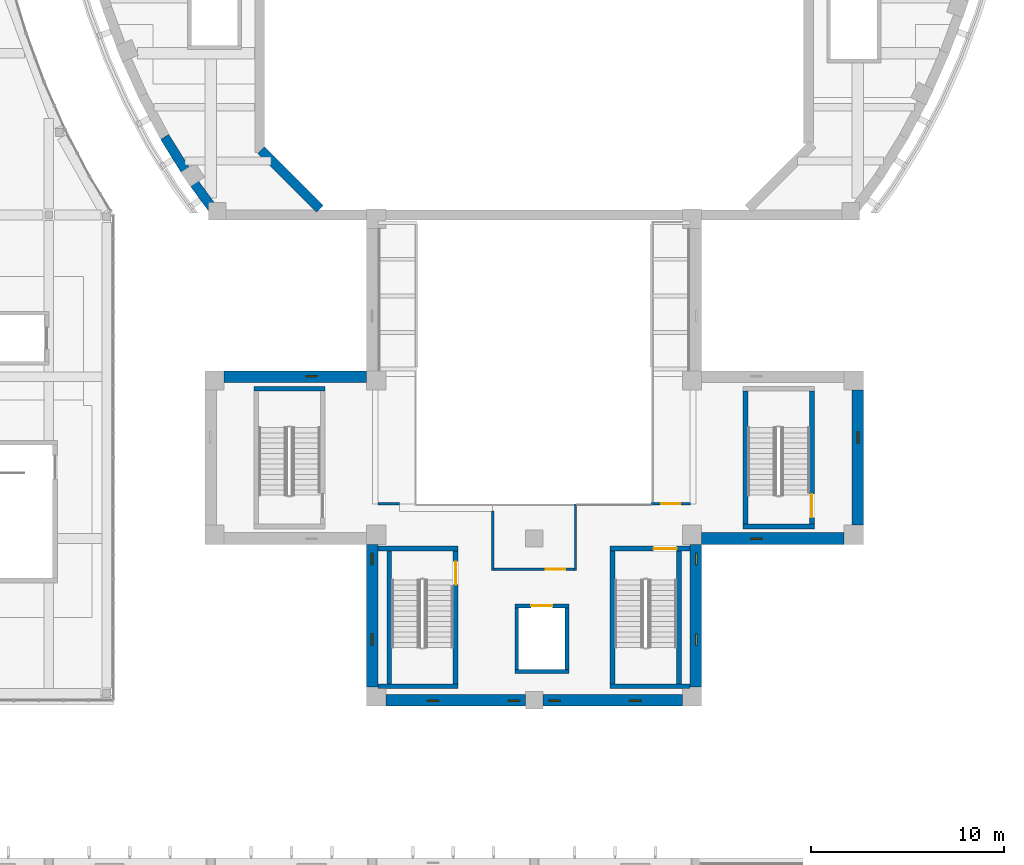
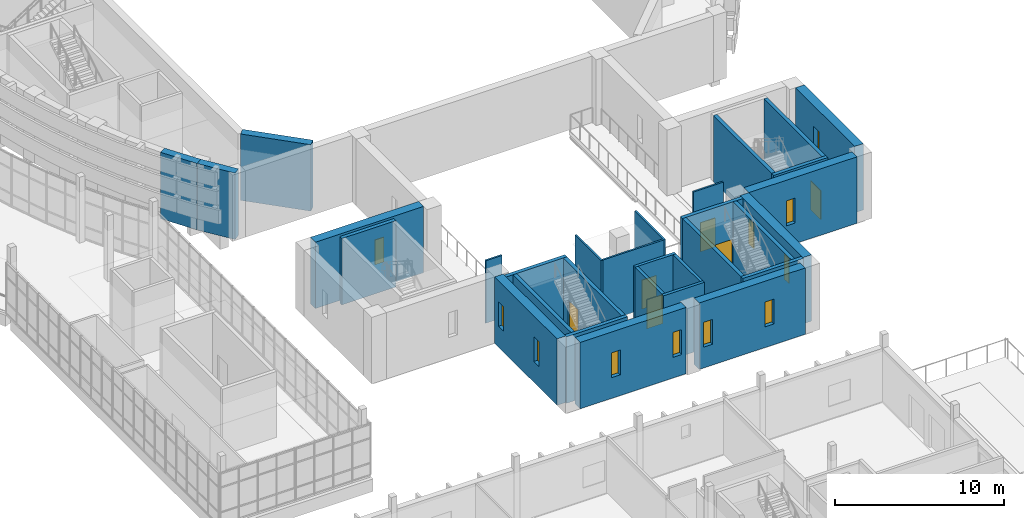
# One storey, part 53 of 103: 31 walls, 11 windows, 6 doors, 17 openings.
"""IFC4 building model written with IfcOpenShell, lengths in metres."""

from ifc_helpers import new_model, si_unit, direction, frame, frame_2d, origin, place, context, subcontext, project, spatial, rectangle, extrude, material, layer, layer_set, type_object, element, fill, save


model = new_model("IFC4")

# Units and contexts
model_context = context("Model", 3, precision=1e-05, world=origin(), true_north=direction((0.0, 1.0)))
body_context = subcontext(model_context, "Body", "Model", "MODEL_VIEW")
ifc_project = project(units=[si_unit("LENGTHUNIT", "METRE"), si_unit("AREAUNIT", "SQUARE_METRE"), si_unit("VOLUMEUNIT", "CUBIC_METRE"), si_unit("PLANEANGLEUNIT", "RADIAN"), si_unit("MASSUNIT", "GRAM", prefix="KILO")], contexts=[model_context])

# Site, building, storey
site_placement = place(None, origin())
site = spatial("IfcSite", under=ifc_project, at=site_placement, CompositionType="ELEMENT")
building_placement = place(site_placement, origin())
building = spatial("IfcBuilding", under=site, at=building_placement, Name="Larchfold Concert Hall", CompositionType="ELEMENT")
storey_placement = place(building_placement, frame((0.0, 0.0, 9.60009765625)))
storey = spatial("IfcBuildingStorey", under=building, at=storey_placement, Name="L02", CompositionType="ELEMENT", Elevation=9.60009765625)

# Walls
ifc_material_1 = material(Name="Plasterboard partition on steel studs", Category="steel")
ifc_layer_1 = layer(ifc_material_1, 0.125)
ifc_layer_set_1 = layer_set([ifc_layer_1], Name="Plasterboard partition on steel studs")
wall_type_1 = type_object("IfcWallType", Name="Corridor partition 125 EI 60", PredefinedType="PARTITIONING", material=ifc_layer_set_1)
wall_1_placement = place(storey_placement, frame((40.449951171875, 40.9375, 0.0), z_axis=(0.0, 0.0, 1.0), x_axis=(0.0, 1.0, 0.0)))
element("IfcWall", 1, at=wall_1_placement, inside=storey, type_object=wall_type_1, Name="Partition IW0010", PredefinedType="PARTITIONING", context=body_context, shape_type="SweptSolid", body=[
    extrude(rectangle(XDim=3.08154296875, YDim=0.125, at=frame_2d((1.540771484375, 0.0))), origin(), (0.0, 0.0, 1.0), 4.52001953125),
])
wall_2_placement = place(storey_placement, frame((44.75, 44.39990234375, 0.0), z_axis=(0.0, 0.0, 1.0), x_axis=(0.0, -1.0, 0.0)))
element("IfcWall", 2, at=wall_2_placement, inside=storey, type_object=wall_type_1, Name="Partition IW0011", PredefinedType="PARTITIONING", context=body_context, shape_type="SweptSolid", body=[
    extrude(rectangle(XDim=3.46240234375, YDim=0.125, at=frame_2d((1.731201171875, 0.0))), origin(), (0.0, 0.0, 1.0), 4.52001953125),
])

# Wall, opening, door
wall_3_placement = place(storey_placement, frame((44.6875, 41.0, 0.0), z_axis=(0.0, 0.0, 1.0), x_axis=(-1.0, 0.0, 0.0)))
wall_3 = element("IfcWall", 3, at=wall_3_placement, inside=storey, type_object=wall_type_1, Name="Partition IW0012", PredefinedType="PARTITIONING", context=body_context, shape_type="SweptSolid", body=[
    extrude(rectangle(XDim=4.175048828125, YDim=0.125, at=frame_2d((2.08740234375, 0.0))), origin(), (0.0, 0.0, 1.0), 4.52001953125),
])
opening_1_placement = place(wall_3_placement, frame((0.4775390625, 0.0, 0.0)))
opening_1 = element("IfcOpeningElement", 4, at=opening_1_placement, cuts=wall_3, Name="Opening D-L02-106", PredefinedType="OPENING", context=body_context, shape_type="SweptSolid", body=[
    extrude(rectangle(XDim=1.0, YDim=2.10009765625, at=frame_2d((0.5, 1.050048828125))), frame((0.0, 0.072509765625, 0.0), z_axis=(0.0, -1.0, 0.0), x_axis=(1.0, 0.0, 0.0)), (0.0, 0.0, 1.0), 0.14501953125),
])
ifc_material_2 = material(Name="Timber door leaf", Category="wood")
door_type_1 = type_object("IfcDoorType", Name="Room door 1000 x 2100 FD30S", OperationType="SINGLE_SWING_LEFT", PredefinedType="DOOR", material=ifc_material_2)
door_1_placement = place(opening_1_placement, origin())
door_1 = element("IfcDoor", 5, at=door_1_placement, inside=storey, type_object=door_type_1, Name="Door D-L02-106", OperationType="SINGLE_SWING_RIGHT", OverallHeight=2.10009765625, OverallWidth=1.0, PredefinedType="DOOR", context=body_context, shape_type="SweptSolid", body=[
    extrude(rectangle(XDim=1.0, YDim=2.10009765625, at=frame_2d((0.5, 1.050048828125))), frame((0.0, 0.02490234375, 0.0), z_axis=(0.0, -1.0, 0.0), x_axis=(1.0, 0.0, 0.0)), (0.0, 0.0, 1.0), 0.050048828125),
])
fill(opening_1, door_1)

# Wall
wall_4_placement = place(storey_placement, frame((34.47998046875, 44.39990234375, 0.0), z_axis=(0.0, 0.0, 1.0), x_axis=(1.0, 0.0, 0.0)))
element("IfcWall", 6, at=wall_4_placement, inside=storey, type_object=wall_type_1, Name="Partition IW0013", PredefinedType="PARTITIONING", context=body_context, shape_type="SweptSolid", body=[
    extrude(rectangle(XDim=1.1201171875, YDim=0.125, at=frame_2d((0.56005859375, 0.0))), origin(), (0.0, 0.0, 1.0), 4.52001953125),
])

# Wall, opening, door
wall_5_placement = place(storey_placement, frame((48.679931640625, 44.39990234375, 0.0), z_axis=(0.0, 0.0, 1.0), x_axis=(1.0, 0.0, 0.0)))
wall_5 = element("IfcWall", 7, at=wall_5_placement, inside=storey, type_object=wall_type_1, Name="Partition IW0014", PredefinedType="PARTITIONING", context=body_context, shape_type="SweptSolid", body=[
    extrude(rectangle(XDim=2.0400390625, YDim=0.125, at=frame_2d((1.02001953125, 0.0))), origin(), (0.0, 0.0, 1.0), 4.52001953125),
])
opening_2_placement = place(wall_5_placement, frame((0.510009765625, 0.0, 0.0)))
opening_2 = element("IfcOpeningElement", 8, at=opening_2_placement, cuts=wall_5, Name="Opening D-L02-107", PredefinedType="OPENING", context=body_context, shape_type="SweptSolid", body=[
    extrude(rectangle(XDim=1.0, YDim=2.10009765625, at=frame_2d((0.5, 1.050048828125))), frame((0.0, 0.072509765625, 0.0), z_axis=(0.0, -1.0, 0.0), x_axis=(1.0, 0.0, 0.0)), (0.0, 0.0, 1.0), 0.14501953125),
])
door_2_placement = place(opening_2_placement, origin())
door_2 = element("IfcDoor", 9, at=door_2_placement, inside=storey, type_object=door_type_1, Name="Door D-L02-107", OperationType="SINGLE_SWING_LEFT", OverallHeight=2.10009765625, OverallWidth=1.0, PredefinedType="DOOR", context=body_context, shape_type="SweptSolid", body=[
    extrude(rectangle(XDim=1.0, YDim=2.10009765625, at=frame_2d((0.5, 1.050048828125))), frame((0.0, 0.02490234375, 0.0), z_axis=(0.0, -1.0, 0.0), x_axis=(1.0, 0.0, 0.0)), (0.0, 0.0, 1.0), 0.050048828125),
])
fill(opening_2, door_2)

# Wall
ifc_material_3 = material(Name="Concrete C40/50", Category="concrete")
ifc_layer_2 = layer(ifc_material_3, 0.199951171875)
ifc_layer_set_2 = layer_set([ifc_layer_2], Name="Concrete C40/50")
wall_type_2 = type_object("IfcWallType", Name="Wall RC 200 lift shaft", PredefinedType="SOLIDWALL", material=ifc_layer_set_2)
wall_6_placement = place(storey_placement, frame((41.60009765625, 35.7001953125, 0.0), z_axis=(0.0, 0.0, 1.0), x_axis=(1.0, 0.0, 0.0)))
element("IfcWall", 10, at=wall_6_placement, inside=storey, type_object=wall_type_2, Name="Wall W0147", PredefinedType="SOLIDWALL", context=body_context, shape_type="SweptSolid", body=[
    extrude(rectangle(XDim=2.7998046875, YDim=0.199951171875, at=frame_2d((1.39990234375, 0.0))), origin(), (0.0, 0.0, 1.0), 4.7998046875),
])

# Wall, opening, door
wall_7_placement = place(storey_placement, frame((41.60009765625, 39.099853515625, 0.0), z_axis=(0.0, 0.0, 1.0), x_axis=(1.0, 0.0, 0.0)))
wall_7 = element("IfcWall", 11, at=wall_7_placement, inside=storey, type_object=wall_type_2, Name="Wall W0148", PredefinedType="SOLIDWALL", context=body_context, shape_type="SweptSolid", body=[
    extrude(rectangle(XDim=2.7998046875, YDim=0.199951171875, at=frame_2d((1.39990234375, 0.0))), origin(), (0.0, 0.0, 1.0), 4.7998046875),
])
opening_3_placement = place(wall_7_placement, frame((0.849853515625, 0.0, 0.0)))
opening_3 = element("IfcOpeningElement", 12, at=opening_3_placement, cuts=wall_7, Name="Opening LD-LF05", PredefinedType="OPENING", context=body_context, shape_type="SweptSolid", body=[
    extrude(rectangle(XDim=1.10009765625, YDim=2.10009765625, at=frame_2d((0.550048828125, 1.050048828125))), frame((0.0, 0.10986328125, 0.0), z_axis=(0.0, -1.0, 0.0), x_axis=(1.0, 0.0, 0.0)), (0.0, 0.0, 1.0), 0.219970703125),
])
ifc_material_4 = material(Name="Stainless steel sliding leaves", Category="steel")
door_type_2 = type_object("IfcDoorType", Name="Lift landing door sliding 1100 x 2100", OperationType="SLIDING_TO_LEFT", PredefinedType="DOOR", material=ifc_material_4)
door_3_placement = place(opening_3_placement, origin())
door_3 = element("IfcDoor", 13, at=door_3_placement, inside=storey, type_object=door_type_2, Name="Lift landing door LF05", OperationType="SLIDING_TO_LEFT", OverallHeight=2.10009765625, OverallWidth=1.10009765625, PredefinedType="DOOR", context=body_context, shape_type="SweptSolid", body=[
    extrude(rectangle(XDim=1.10009765625, YDim=2.10009765625, at=frame_2d((0.550048828125, 1.050048828125))), frame((0.0, 0.02490234375, 0.0), z_axis=(0.0, -1.0, 0.0), x_axis=(1.0, 0.0, 0.0)), (0.0, 0.0, 1.0), 0.050048828125),
])
fill(opening_3, door_3)

# Walls
for number, where, z_axis, x_axis, name in (
    (14, (41.7001953125, 35.800048828125, 0.0), (0.0, 0.0, 1.0), (0.0, 1.0, 0.0), "Wall W0149"),
    (15, (44.2998046875, 35.800048828125, 0.0), (0.0, 0.0, 1.0), (0.0, 1.0, 0.0), "Wall W0150"),
):
    element("IfcWall", number, at=place(storey_placement, frame(where, z_axis=z_axis, x_axis=x_axis)), inside=storey, type_object=wall_type_2, Name=name, PredefinedType="SOLIDWALL", context=body_context, shape_type="SweptSolid", body=[
        extrude(rectangle(XDim=3.199951171875, YDim=0.199951171875, at=frame_2d((1.60009765625, 0.0))), origin(), (0.0, 0.0, 1.0), 4.7998046875),
    ])
ifc_material_5 = material(Name="Concrete C40/50", Category="concrete")
ifc_layer_3 = layer(ifc_material_5, 0.25)
ifc_layer_set_3 = layer_set([ifc_layer_3], Name="Concrete C40/50")
wall_type_3 = type_object("IfcWallType", Name="Wall RC 250 stair core", PredefinedType="SOLIDWALL", material=ifc_layer_set_3)
for number, where, z_axis, x_axis, name in (
    (16, (28.050048828125, 50.375, 0.0), (0.0, 0.0, 1.0), (1.0, 0.0, 0.0), "Wall W0064"),
    (17, (53.449951171875, 43.22509765625, 0.0), (0.0, 0.0, 1.0), (1.0, 0.0, 0.0), "Wall W0067"),
):
    element("IfcWall", number, at=place(storey_placement, frame(where, z_axis=z_axis, x_axis=x_axis)), inside=storey, type_object=wall_type_3, Name=name, PredefinedType="SOLIDWALL", context=body_context, shape_type="SweptSolid", body=[
        extrude(rectangle(XDim=3.699951171875, YDim=0.25, at=frame_2d((1.85009765625, 0.0))), origin(), (0.0, 0.0, 1.0), 4.7998046875),
    ])
wall_8_placement = place(storey_placement, frame((53.574951171875, 43.35009765625, 0.0), z_axis=(0.0, 0.0, 1.0), x_axis=(0.0, 1.0, 0.0)))
element("IfcWall", 18, at=wall_8_placement, inside=storey, type_object=wall_type_3, Name="Wall W0069", PredefinedType="SOLIDWALL", context=body_context, shape_type="SweptSolid", body=[
    extrude(rectangle(XDim=6.89990234375, YDim=0.25, at=frame_2d((3.449951171875, 0.0))), origin(), (0.0, 0.0, 1.0), 4.7998046875),
])

# Wall, opening, door
wall_9_placement = place(storey_placement, frame((57.02490234375, 43.35009765625, 0.0), z_axis=(0.0, 0.0, 1.0), x_axis=(0.0, 1.0, 0.0)))
wall_9 = element("IfcWall", 19, at=wall_9_placement, inside=storey, type_object=wall_type_3, Name="Wall W0070", PredefinedType="SOLIDWALL", context=body_context, shape_type="SweptSolid", body=[
    extrude(rectangle(XDim=6.89990234375, YDim=0.25, at=frame_2d((3.449951171875, 0.0))), origin(), (0.0, 0.0, 1.0), 4.7998046875),
])
opening_4_placement = place(wall_9_placement, frame((0.35009765625, 0.0, 0.0)))
opening_4 = element("IfcOpeningElement", 20, at=opening_4_placement, cuts=wall_9, Name="Opening D-L02-148", PredefinedType="OPENING", context=body_context, shape_type="SweptSolid", body=[
    extrude(rectangle(XDim=1.199951171875, YDim=2.10009765625, at=frame_2d((0.60009765625, 1.050048828125))), frame((0.0, 0.135009765625, 0.0), z_axis=(0.0, -1.0, 0.0), x_axis=(1.0, 0.0, 0.0)), (0.0, 0.0, 1.0), 0.27001953125),
])
ifc_material_6 = material(Name="Timber door leaf", Category="wood")
door_type_3 = type_object("IfcDoorType", Name="Stair enclosure door pair 1200 x 2100 FD60", OperationType="SINGLE_SWING_LEFT", PredefinedType="DOOR", material=ifc_material_6)
door_4_placement = place(opening_4_placement, origin())
door_4 = element("IfcDoor", 21, at=door_4_placement, inside=storey, type_object=door_type_3, Name="Door D-L02-148", OperationType="DOUBLE_DOOR_SINGLE_SWING", OverallHeight=2.10009765625, OverallWidth=1.199951171875, PredefinedType="DOOR", context=body_context, shape_type="SweptSolid", body=[
    extrude(rectangle(XDim=1.199951171875, YDim=2.10009765625, at=frame_2d((0.60009765625, 1.050048828125))), frame((0.0, 0.02490234375, 0.0), z_axis=(0.0, -1.0, 0.0), x_axis=(1.0, 0.0, 0.0)), (0.0, 0.0, 1.0), 0.050048828125),
])
fill(opening_4, door_4)

# Walls
for number, where, z_axis, x_axis, name in (
    (22, (34.5, 34.925048828125, 0.0), (0.0, 0.0, 1.0), (1.0, 0.0, 0.0), "Wall W0071"),
    (23, (34.5, 42.074951171875, 0.0), (0.0, 0.0, 1.0), (1.0, 0.0, 0.0), "Wall W0072"),
):
    element("IfcWall", number, at=place(storey_placement, frame(where, z_axis=z_axis, x_axis=x_axis)), inside=storey, type_object=wall_type_3, Name=name, PredefinedType="SOLIDWALL", context=body_context, shape_type="SweptSolid", body=[
        extrude(rectangle(XDim=4.14990234375, YDim=0.25, at=frame_2d((2.074951171875, 0.0))), origin(), (0.0, 0.0, 1.0), 4.7998046875),
    ])
wall_10_placement = place(storey_placement, frame((35.074951171875, 35.050048828125, 0.0), z_axis=(0.0, 0.0, 1.0), x_axis=(0.0, 1.0, 0.0)))
element("IfcWall", 24, at=wall_10_placement, inside=storey, type_object=wall_type_3, Name="Wall W0073", PredefinedType="SOLIDWALL", context=body_context, shape_type="SweptSolid", body=[
    extrude(rectangle(XDim=6.89990234375, YDim=0.25, at=frame_2d((3.449951171875, 0.0))), origin(), (0.0, 0.0, 1.0), 4.7998046875),
])

# Wall, opening, door
wall_11_placement = place(storey_placement, frame((38.52490234375, 35.050048828125, 0.0), z_axis=(0.0, 0.0, 1.0), x_axis=(0.0, 1.0, 0.0)))
wall_11 = element("IfcWall", 25, at=wall_11_placement, inside=storey, type_object=wall_type_3, Name="Wall W0074", PredefinedType="SOLIDWALL", context=body_context, shape_type="SweptSolid", body=[
    extrude(rectangle(XDim=6.89990234375, YDim=0.25, at=frame_2d((3.449951171875, 0.0))), origin(), (0.0, 0.0, 1.0), 4.7998046875),
])
opening_5_placement = place(wall_11_placement, frame((5.14990234375, 0.0, 0.0)))
opening_5 = element("IfcOpeningElement", 26, at=opening_5_placement, cuts=wall_11, Name="Opening D-L02-145", PredefinedType="OPENING", context=body_context, shape_type="SweptSolid", body=[
    extrude(rectangle(XDim=1.199951171875, YDim=2.10009765625, at=frame_2d((0.60009765625, 1.050048828125))), frame((0.0, 0.135009765625, 0.0), z_axis=(0.0, -1.0, 0.0), x_axis=(1.0, 0.0, 0.0)), (0.0, 0.0, 1.0), 0.27001953125),
])
door_5_placement = place(opening_5_placement, origin())
door_5 = element("IfcDoor", 27, at=door_5_placement, inside=storey, type_object=door_type_3, Name="Door D-L02-145", OperationType="DOUBLE_DOOR_SINGLE_SWING", OverallHeight=2.10009765625, OverallWidth=1.199951171875, PredefinedType="DOOR", context=body_context, shape_type="SweptSolid", body=[
    extrude(rectangle(XDim=1.199951171875, YDim=2.10009765625, at=frame_2d((0.60009765625, 1.050048828125))), frame((0.0, 0.02490234375, 0.0), z_axis=(0.0, -1.0, 0.0), x_axis=(1.0, 0.0, 0.0)), (0.0, 0.0, 1.0), 0.050048828125),
])
fill(opening_5, door_5)

# Wall
wall_12_placement = place(storey_placement, frame((46.550048828125, 34.925048828125, 0.0), z_axis=(0.0, 0.0, 1.0), x_axis=(1.0, 0.0, 0.0)))
element("IfcWall", 28, at=wall_12_placement, inside=storey, type_object=wall_type_3, Name="Wall W0075", PredefinedType="SOLIDWALL", context=body_context, shape_type="SweptSolid", body=[
    extrude(rectangle(XDim=4.14990234375, YDim=0.25, at=frame_2d((2.074951171875, 0.0))), origin(), (0.0, 0.0, 1.0), 4.7998046875),
])

# Wall, opening, door
wall_13_placement = place(storey_placement, frame((46.550048828125, 42.074951171875, 0.0), z_axis=(0.0, 0.0, 1.0), x_axis=(1.0, 0.0, 0.0)))
wall_13 = element("IfcWall", 29, at=wall_13_placement, inside=storey, type_object=wall_type_3, Name="Wall W0076", PredefinedType="SOLIDWALL", context=body_context, shape_type="SweptSolid", body=[
    extrude(rectangle(XDim=4.14990234375, YDim=0.25, at=frame_2d((2.074951171875, 0.0))), origin(), (0.0, 0.0, 1.0), 4.7998046875),
])
opening_6_placement = place(wall_13_placement, frame((2.25, 0.0, 0.0)))
opening_6 = element("IfcOpeningElement", 30, at=opening_6_placement, cuts=wall_13, Name="Opening D-L02-146", PredefinedType="OPENING", context=body_context, shape_type="SweptSolid", body=[
    extrude(rectangle(XDim=1.199951171875, YDim=2.10009765625, at=frame_2d((0.60009765625, 1.050048828125))), frame((0.0, 0.135009765625, 0.0), z_axis=(0.0, -1.0, 0.0), x_axis=(1.0, 0.0, 0.0)), (0.0, 0.0, 1.0), 0.27001953125),
])
door_6_placement = place(opening_6_placement, origin())
door_6 = element("IfcDoor", 31, at=door_6_placement, inside=storey, type_object=door_type_3, Name="Door D-L02-146", OperationType="DOUBLE_DOOR_SINGLE_SWING", OverallHeight=2.10009765625, OverallWidth=1.199951171875, PredefinedType="DOOR", context=body_context, shape_type="SweptSolid", body=[
    extrude(rectangle(XDim=1.199951171875, YDim=2.10009765625, at=frame_2d((0.60009765625, 1.050048828125))), frame((0.0, 0.02490234375, 0.0), z_axis=(0.0, -1.0, 0.0), x_axis=(1.0, 0.0, 0.0)), (0.0, 0.0, 1.0), 0.050048828125),
])
fill(opening_6, door_6)

# Walls
for number, where, z_axis, x_axis, name in (
    (32, (46.675048828125, 35.050048828125, 0.0), (0.0, 0.0, 1.0), (0.0, 1.0, 0.0), "Wall W0077"),
    (33, (50.125, 35.050048828125, 0.0), (0.0, 0.0, 1.0), (0.0, 1.0, 0.0), "Wall W0078"),
):
    element("IfcWall", number, at=place(storey_placement, frame(where, z_axis=z_axis, x_axis=x_axis)), inside=storey, type_object=wall_type_3, Name=name, PredefinedType="SOLIDWALL", context=body_context, shape_type="SweptSolid", body=[
        extrude(rectangle(XDim=6.89990234375, YDim=0.25, at=frame_2d((3.449951171875, 0.0))), origin(), (0.0, 0.0, 1.0), 4.7998046875),
    ])
ifc_material_7 = material(Name="Concrete C30/37", Category="concrete")
ifc_layer_4 = layer(ifc_material_7, 0.5)
ifc_layer_set_4 = layer_set([ifc_layer_4], Name="Concrete C30/37")
wall_type_4 = type_object("IfcWallType", Name="Wall RC 500 drum facade", PredefinedType="SOLIDWALL", material=ifc_layer_set_4)
wall_14_placement = place(storey_placement, frame((23.414306640625, 63.45556640625, 0.0), z_axis=(0.0, 0.0, 1.0), x_axis=(0.527702820527, -0.849429063082, 0.0)))
element("IfcWall", 34, at=wall_14_placement, inside=storey, type_object=wall_type_4, Name="Wall DW048", PredefinedType="SOLIDWALL", context=body_context, shape_type="SweptSolid", body=[
    extrude(rectangle(XDim=2.44873046875, YDim=0.5, at=frame_2d((1.224365234375, 0.0))), origin(), (0.0, 0.0, 1.0), 4.7998046875),
])
wall_15_placement = place(storey_placement, frame((24.70654296875, 61.37548828125, 0.0), z_axis=(0.0, 0.0, 1.0), x_axis=(0.590771306399, -0.806839056774, 0.0)))
element("IfcWall", 35, at=wall_15_placement, inside=storey, type_object=wall_type_4, Name="Wall DW049", PredefinedType="SOLIDWALL", context=body_context, shape_type="SweptSolid", body=[
    extrude(rectangle(XDim=2.448486328125, YDim=0.5, at=frame_2d((1.22412109375, 0.0))), origin(), (0.0, 0.0, 1.0), 4.7998046875),
])
ifc_material_8 = material(Name="Concrete C40/50", Category="concrete")
ifc_layer_5 = layer(ifc_material_8, 0.5)
ifc_layer_set_5 = layer_set([ifc_layer_5], Name="Concrete C40/50")
wall_type_5 = type_object("IfcWallType", Name="Wall RC 500 hall shell", PredefinedType="SOLIDWALL", material=ifc_layer_set_5)
wall_16_placement = place(storey_placement, frame((28.4228515625, 62.777099609375, 0.0), z_axis=(0.0, 0.0, 1.0), x_axis=(0.707106781187, -0.707106781187, 0.0)))
element("IfcWall", 36, at=wall_16_placement, inside=storey, type_object=wall_type_5, Name="Wall W0007", PredefinedType="SOLIDWALL", context=body_context, shape_type="SweptSolid", body=[
    extrude(rectangle(XDim=4.319580078125, YDim=0.5, at=frame_2d((2.15966796875, 0.0))), origin(), (0.0, 0.0, 1.0), 4.7998046875),
])

# Wall, opening, window
ifc_material_9 = material(Name="Concrete C40/50", Category="concrete")
ifc_layer_6 = layer(ifc_material_9, 0.60009765625)
ifc_layer_set_6 = layer_set([ifc_layer_6], Name="Concrete C40/50")
wall_type_6 = type_object("IfcWallType", Name="Wall RC 600 stage house", PredefinedType="SOLIDWALL", material=ifc_layer_set_6)
wall_17_placement = place(storey_placement, frame((51.300048828125, 42.60009765625, 0.0), z_axis=(0.0, 0.0, 1.0), x_axis=(1.0, 0.0, 0.0)))
wall_17 = element("IfcWall", 37, at=wall_17_placement, inside=storey, type_object=wall_type_6, Name="Wall W0008", PredefinedType="SOLIDWALL", context=body_context, shape_type="SweptSolid", body=[
    extrude(rectangle(XDim=7.39990234375, YDim=0.60009765625, at=frame_2d((3.699951171875, 0.0))), origin(), (0.0, 0.0, 1.0), 4.7998046875),
])
opening_7_placement = place(wall_17_placement, frame((2.550048828125, 0.0, 1.5)))
opening_7 = element("IfcOpeningElement", 38, at=opening_7_placement, cuts=wall_17, Name="Opening WN-L02-001", PredefinedType="OPENING", context=body_context, shape_type="SweptSolid", body=[
    extrude(rectangle(XDim=0.60009765625, YDim=1.800048828125, at=frame_2d((0.300048828125, 0.89990234375))), frame((0.0, 0.31005859375, 0.0), z_axis=(0.0, -1.0, 0.0), x_axis=(1.0, 0.0, 0.0)), (0.0, 0.0, 1.0), 0.6201171875),
])
ifc_material_10 = material(Name="Anodised graphite aluminium frame with glass", Category="aluminium")
window_type = type_object("IfcWindowType", Name="Gallery slit window 600x1800", PartitioningType="SINGLE_PANEL", PredefinedType="WINDOW", material=ifc_material_10)
window_1_placement = place(opening_7_placement, origin())
window_1 = element("IfcWindow", 39, at=window_1_placement, inside=storey, type_object=window_type, Name="Window WN-L02-001", OverallHeight=1.800048828125, OverallWidth=0.60009765625, PartitioningType="SINGLE_PANEL", PredefinedType="WINDOW", context=body_context, shape_type="SweptSolid", body=[
    extrude(rectangle(XDim=0.60009765625, YDim=1.800048828125, at=frame_2d((0.300048828125, 0.89990234375))), frame((0.0, 0.010009765625, 0.0), z_axis=(0.0, -1.0, 0.0), x_axis=(1.0, 0.0, 0.0)), (0.0, 0.0, 1.0), 0.06005859375),
])
fill(opening_7, window_1)

wall_18_placement = place(storey_placement, frame((59.39990234375, 43.300048828125, 0.0), z_axis=(0.0, 0.0, 1.0), x_axis=(0.0, 1.0, 0.0)))
wall_18 = element("IfcWall", 40, at=wall_18_placement, inside=storey, type_object=wall_type_6, Name="Wall W0009", PredefinedType="SOLIDWALL", context=body_context, shape_type="SweptSolid", body=[
    extrude(rectangle(XDim=7.0, YDim=0.60009765625, at=frame_2d((3.5, 0.0))), origin(), (0.0, 0.0, 1.0), 4.7998046875),
])
opening_8_placement = place(wall_18_placement, frame((4.25, 0.0, 1.5)))
opening_8 = element("IfcOpeningElement", 41, at=opening_8_placement, cuts=wall_18, Name="Opening WN-L02-002", PredefinedType="OPENING", context=body_context, shape_type="SweptSolid", body=[
    extrude(rectangle(XDim=0.60009765625, YDim=1.800048828125, at=frame_2d((0.300048828125, 0.89990234375))), frame((0.0, 0.31005859375, 0.0), z_axis=(0.0, -1.0, 0.0), x_axis=(1.0, 0.0, 0.0)), (0.0, 0.0, 1.0), 0.6201171875),
])
window_2_placement = place(opening_8_placement, origin())
window_2 = element("IfcWindow", 42, at=window_2_placement, inside=storey, type_object=window_type, Name="Window WN-L02-002", OverallHeight=1.800048828125, OverallWidth=0.60009765625, PartitioningType="SINGLE_PANEL", PredefinedType="WINDOW", context=body_context, shape_type="SweptSolid", body=[
    extrude(rectangle(XDim=0.60009765625, YDim=1.800048828125, at=frame_2d((0.300048828125, 0.89990234375))), frame((0.0, 0.010009765625, 0.0), z_axis=(0.0, -1.0, 0.0), x_axis=(1.0, 0.0, 0.0)), (0.0, 0.0, 1.0), 0.06005859375),
])
fill(opening_8, window_2)

wall_19_placement = place(storey_placement, frame((33.89990234375, 51.0, 0.0), z_axis=(0.0, 0.0, 1.0), x_axis=(-1.0, 0.0, 0.0)))
wall_19 = element("IfcWall", 43, at=wall_19_placement, inside=storey, type_object=wall_type_6, Name="Wall W0013", PredefinedType="SOLIDWALL", context=body_context, shape_type="SweptSolid", body=[
    extrude(rectangle(XDim=7.39990234375, YDim=0.60009765625, at=frame_2d((3.699951171875, 0.0))), origin(), (0.0, 0.0, 1.0), 4.7998046875),
])
opening_9_placement = place(wall_19_placement, frame((2.5498046875, 0.0, 1.5)))
opening_9 = element("IfcOpeningElement", 44, at=opening_9_placement, cuts=wall_19, Name="Opening WN-L02-006", PredefinedType="OPENING", context=body_context, shape_type="SweptSolid", body=[
    extrude(rectangle(XDim=0.60009765625, YDim=1.800048828125, at=frame_2d((0.300048828125, 0.89990234375))), frame((0.0, 0.31005859375, 0.0), z_axis=(0.0, -1.0, 0.0), x_axis=(1.0, 0.0, 0.0)), (0.0, 0.0, 1.0), 0.6201171875),
])
window_3_placement = place(opening_9_placement, origin())
window_3 = element("IfcWindow", 45, at=window_3_placement, inside=storey, type_object=window_type, Name="Window WN-L02-006", OverallHeight=1.800048828125, OverallWidth=0.60009765625, PartitioningType="SINGLE_PANEL", PredefinedType="WINDOW", context=body_context, shape_type="SweptSolid", body=[
    extrude(rectangle(XDim=0.60009765625, YDim=1.800048828125, at=frame_2d((0.300048828125, 0.89990234375))), frame((0.0, 0.010009765625, 0.0), z_axis=(0.0, -1.0, 0.0), x_axis=(1.0, 0.0, 0.0)), (0.0, 0.0, 1.0), 0.06005859375),
])
fill(opening_9, window_3)

# Wall, openings, windows
wall_20_placement = place(storey_placement, frame((34.199951171875, 42.300048828125, 0.0), z_axis=(0.0, 0.0, 1.0), x_axis=(0.0, -1.0, 0.0)))
wall_20 = element("IfcWall", 46, at=wall_20_placement, inside=storey, type_object=wall_type_6, Name="Wall W0016", PredefinedType="SOLIDWALL", context=body_context, shape_type="SweptSolid", body=[
    extrude(rectangle(XDim=7.400146484375, YDim=0.60009765625, at=frame_2d((3.7001953125, 0.0))), origin(), (0.0, 0.0, 1.0), 4.7998046875),
])
opening_10_placement = place(wall_20_placement, frame((4.650146484375, 0.0, 1.5)))
opening_10 = element("IfcOpeningElement", 47, at=opening_10_placement, cuts=wall_20, Name="Opening WN-L02-009", PredefinedType="OPENING", context=body_context, shape_type="SweptSolid", body=[
    extrude(rectangle(XDim=0.60009765625, YDim=1.800048828125, at=frame_2d((0.300048828125, 0.89990234375))), frame((0.0, 0.31005859375, 0.0), z_axis=(0.0, -1.0, 0.0), x_axis=(1.0, 0.0, 0.0)), (0.0, 0.0, 1.0), 0.6201171875),
])
opening_11_placement = place(wall_20_placement, frame((0.454833984375, 0.0, 1.5)))
opening_11 = element("IfcOpeningElement", 48, at=opening_11_placement, cuts=wall_20, Name="Opening WN-L02-010", PredefinedType="OPENING", context=body_context, shape_type="SweptSolid", body=[
    extrude(rectangle(XDim=0.60009765625, YDim=1.800048828125, at=frame_2d((0.300048828125, 0.89990234375))), frame((0.0, 0.31005859375, 0.0), z_axis=(0.0, -1.0, 0.0), x_axis=(1.0, 0.0, 0.0)), (0.0, 0.0, 1.0), 0.6201171875),
])
window_4_placement = place(opening_10_placement, origin())
window_4 = element("IfcWindow", 49, at=window_4_placement, inside=storey, type_object=window_type, Name="Window WN-L02-009", OverallHeight=1.800048828125, OverallWidth=0.60009765625, PartitioningType="SINGLE_PANEL", PredefinedType="WINDOW", context=body_context, shape_type="SweptSolid", body=[
    extrude(rectangle(XDim=0.60009765625, YDim=1.800048828125, at=frame_2d((0.300048828125, 0.89990234375))), frame((0.0, 0.010009765625, 0.0), z_axis=(0.0, -1.0, 0.0), x_axis=(1.0, 0.0, 0.0)), (0.0, 0.0, 1.0), 0.06005859375),
])
fill(opening_10, window_4)
window_5_placement = place(opening_11_placement, origin())
window_5 = element("IfcWindow", 50, at=window_5_placement, inside=storey, type_object=window_type, Name="Window WN-L02-010", OverallHeight=1.800048828125, OverallWidth=0.60009765625, PartitioningType="SINGLE_PANEL", PredefinedType="WINDOW", context=body_context, shape_type="SweptSolid", body=[
    extrude(rectangle(XDim=0.60009765625, YDim=1.800048828125, at=frame_2d((0.300048828125, 0.89990234375))), frame((0.0, 0.010009765625, 0.0), z_axis=(0.0, -1.0, 0.0), x_axis=(1.0, 0.0, 0.0)), (0.0, 0.0, 1.0), 0.06005859375),
])
fill(opening_11, window_5)

wall_21_placement = place(storey_placement, frame((34.89990234375, 34.199951171875, 0.0), z_axis=(0.0, 0.0, 1.0), x_axis=(1.0, 0.0, 0.0)))
wall_21 = element("IfcWall", 51, at=wall_21_placement, inside=storey, type_object=wall_type_6, Name="Wall W0017", PredefinedType="SOLIDWALL", context=body_context, shape_type="SweptSolid", body=[
    extrude(rectangle(XDim=7.250244140625, YDim=0.60009765625, at=frame_2d((3.625, 0.0))), origin(), (0.0, 0.0, 1.0), 4.7998046875),
])
opening_12_placement = place(wall_21_placement, frame((2.150146484375, 0.0, 1.5)))
opening_12 = element("IfcOpeningElement", 52, at=opening_12_placement, cuts=wall_21, Name="Opening WN-L02-011", PredefinedType="OPENING", context=body_context, shape_type="SweptSolid", body=[
    extrude(rectangle(XDim=0.60009765625, YDim=1.800048828125, at=frame_2d((0.300048828125, 0.89990234375))), frame((0.0, 0.31005859375, 0.0), z_axis=(0.0, -1.0, 0.0), x_axis=(1.0, 0.0, 0.0)), (0.0, 0.0, 1.0), 0.6201171875),
])
opening_13_placement = place(wall_21_placement, frame((6.35009765625, 0.0, 1.5)))
opening_13 = element("IfcOpeningElement", 53, at=opening_13_placement, cuts=wall_21, Name="Opening WN-L02-012", PredefinedType="OPENING", context=body_context, shape_type="SweptSolid", body=[
    extrude(rectangle(XDim=0.60009765625, YDim=1.800048828125, at=frame_2d((0.300048828125, 0.89990234375))), frame((0.0, 0.31005859375, 0.0), z_axis=(0.0, -1.0, 0.0), x_axis=(1.0, 0.0, 0.0)), (0.0, 0.0, 1.0), 0.6201171875),
])
window_6_placement = place(opening_12_placement, origin())
window_6 = element("IfcWindow", 54, at=window_6_placement, inside=storey, type_object=window_type, Name="Window WN-L02-011", OverallHeight=1.800048828125, OverallWidth=0.60009765625, PartitioningType="SINGLE_PANEL", PredefinedType="WINDOW", context=body_context, shape_type="SweptSolid", body=[
    extrude(rectangle(XDim=0.60009765625, YDim=1.800048828125, at=frame_2d((0.300048828125, 0.89990234375))), frame((0.0, 0.010009765625, 0.0), z_axis=(0.0, -1.0, 0.0), x_axis=(1.0, 0.0, 0.0)), (0.0, 0.0, 1.0), 0.06005859375),
])
fill(opening_12, window_6)
window_7_placement = place(opening_13_placement, origin())
window_7 = element("IfcWindow", 55, at=window_7_placement, inside=storey, type_object=window_type, Name="Window WN-L02-012", OverallHeight=1.800048828125, OverallWidth=0.60009765625, PartitioningType="SINGLE_PANEL", PredefinedType="WINDOW", context=body_context, shape_type="SweptSolid", body=[
    extrude(rectangle(XDim=0.60009765625, YDim=1.800048828125, at=frame_2d((0.300048828125, 0.89990234375))), frame((0.0, 0.010009765625, 0.0), z_axis=(0.0, -1.0, 0.0), x_axis=(1.0, 0.0, 0.0)), (0.0, 0.0, 1.0), 0.06005859375),
])
fill(opening_13, window_7)

wall_22_placement = place(storey_placement, frame((43.050048828125, 34.199951171875, 0.0), z_axis=(0.0, 0.0, 1.0), x_axis=(1.0, 0.0, 0.0)))
wall_22 = element("IfcWall", 56, at=wall_22_placement, inside=storey, type_object=wall_type_6, Name="Wall W0018", PredefinedType="SOLIDWALL", context=body_context, shape_type="SweptSolid", body=[
    extrude(rectangle(XDim=7.25, YDim=0.60009765625, at=frame_2d((3.625, 0.0))), origin(), (0.0, 0.0, 1.0), 4.7998046875),
])
opening_14_placement = place(wall_22_placement, frame((0.300048828125, 0.0, 1.5)))
opening_14 = element("IfcOpeningElement", 57, at=opening_14_placement, cuts=wall_22, Name="Opening WN-L02-013", PredefinedType="OPENING", context=body_context, shape_type="SweptSolid", body=[
    extrude(rectangle(XDim=0.60009765625, YDim=1.800048828125, at=frame_2d((0.300048828125, 0.89990234375))), frame((0.0, 0.31005859375, 0.0), z_axis=(0.0, -1.0, 0.0), x_axis=(1.0, 0.0, 0.0)), (0.0, 0.0, 1.0), 0.6201171875),
])
opening_15_placement = place(wall_22_placement, frame((4.5, 0.0, 1.5)))
opening_15 = element("IfcOpeningElement", 58, at=opening_15_placement, cuts=wall_22, Name="Opening WN-L02-014", PredefinedType="OPENING", context=body_context, shape_type="SweptSolid", body=[
    extrude(rectangle(XDim=0.60009765625, YDim=1.800048828125, at=frame_2d((0.300048828125, 0.89990234375))), frame((0.0, 0.31005859375, 0.0), z_axis=(0.0, -1.0, 0.0), x_axis=(1.0, 0.0, 0.0)), (0.0, 0.0, 1.0), 0.6201171875),
])
window_8_placement = place(opening_14_placement, origin())
window_8 = element("IfcWindow", 59, at=window_8_placement, inside=storey, type_object=window_type, Name="Window WN-L02-013", OverallHeight=1.800048828125, OverallWidth=0.60009765625, PartitioningType="SINGLE_PANEL", PredefinedType="WINDOW", context=body_context, shape_type="SweptSolid", body=[
    extrude(rectangle(XDim=0.60009765625, YDim=1.800048828125, at=frame_2d((0.300048828125, 0.89990234375))), frame((0.0, 0.010009765625, 0.0), z_axis=(0.0, -1.0, 0.0), x_axis=(1.0, 0.0, 0.0)), (0.0, 0.0, 1.0), 0.06005859375),
])
fill(opening_14, window_8)
window_9_placement = place(opening_15_placement, origin())
window_9 = element("IfcWindow", 60, at=window_9_placement, inside=storey, type_object=window_type, Name="Window WN-L02-014", OverallHeight=1.800048828125, OverallWidth=0.60009765625, PartitioningType="SINGLE_PANEL", PredefinedType="WINDOW", context=body_context, shape_type="SweptSolid", body=[
    extrude(rectangle(XDim=0.60009765625, YDim=1.800048828125, at=frame_2d((0.300048828125, 0.89990234375))), frame((0.0, 0.010009765625, 0.0), z_axis=(0.0, -1.0, 0.0), x_axis=(1.0, 0.0, 0.0)), (0.0, 0.0, 1.0), 0.06005859375),
])
fill(opening_15, window_9)

wall_23_placement = place(storey_placement, frame((51.0, 34.89990234375, 0.0), z_axis=(0.0, 0.0, 1.0), x_axis=(0.0, 1.0, 0.0)))
wall_23 = element("IfcWall", 61, at=wall_23_placement, inside=storey, type_object=wall_type_6, Name="Wall W0019", PredefinedType="SOLIDWALL", context=body_context, shape_type="SweptSolid", body=[
    extrude(rectangle(XDim=7.400146484375, YDim=0.60009765625, at=frame_2d((3.7001953125, 0.0))), origin(), (0.0, 0.0, 1.0), 4.7998046875),
])
opening_16_placement = place(wall_23_placement, frame((2.150146484375, 0.0, 1.5)))
opening_16 = element("IfcOpeningElement", 62, at=opening_16_placement, cuts=wall_23, Name="Opening WN-L02-015", PredefinedType="OPENING", context=body_context, shape_type="SweptSolid", body=[
    extrude(rectangle(XDim=0.60009765625, YDim=1.800048828125, at=frame_2d((0.300048828125, 0.89990234375))), frame((0.0, 0.31005859375, 0.0), z_axis=(0.0, -1.0, 0.0), x_axis=(1.0, 0.0, 0.0)), (0.0, 0.0, 1.0), 0.6201171875),
])
opening_17_placement = place(wall_23_placement, frame((6.34521484375, 0.0, 1.5)))
opening_17 = element("IfcOpeningElement", 63, at=opening_17_placement, cuts=wall_23, Name="Opening WN-L02-016", PredefinedType="OPENING", context=body_context, shape_type="SweptSolid", body=[
    extrude(rectangle(XDim=0.60009765625, YDim=1.800048828125, at=frame_2d((0.300048828125, 0.89990234375))), frame((0.0, 0.31005859375, 0.0), z_axis=(0.0, -1.0, 0.0), x_axis=(1.0, 0.0, 0.0)), (0.0, 0.0, 1.0), 0.6201171875),
])
window_10_placement = place(opening_16_placement, origin())
window_10 = element("IfcWindow", 64, at=window_10_placement, inside=storey, type_object=window_type, Name="Window WN-L02-015", OverallHeight=1.800048828125, OverallWidth=0.60009765625, PartitioningType="SINGLE_PANEL", PredefinedType="WINDOW", context=body_context, shape_type="SweptSolid", body=[
    extrude(rectangle(XDim=0.60009765625, YDim=1.800048828125, at=frame_2d((0.300048828125, 0.89990234375))), frame((0.0, 0.010009765625, 0.0), z_axis=(0.0, -1.0, 0.0), x_axis=(1.0, 0.0, 0.0)), (0.0, 0.0, 1.0), 0.06005859375),
])
fill(opening_16, window_10)
window_11_placement = place(opening_17_placement, origin())
window_11 = element("IfcWindow", 65, at=window_11_placement, inside=storey, type_object=window_type, Name="Window WN-L02-016", OverallHeight=1.800048828125, OverallWidth=0.60009765625, PartitioningType="SINGLE_PANEL", PredefinedType="WINDOW", context=body_context, shape_type="SweptSolid", body=[
    extrude(rectangle(XDim=0.60009765625, YDim=1.800048828125, at=frame_2d((0.300048828125, 0.89990234375))), frame((0.0, 0.010009765625, 0.0), z_axis=(0.0, -1.0, 0.0), x_axis=(1.0, 0.0, 0.0)), (0.0, 0.0, 1.0), 0.06005859375),
])
fill(opening_17, window_11)

save(model, "model.ifc")
